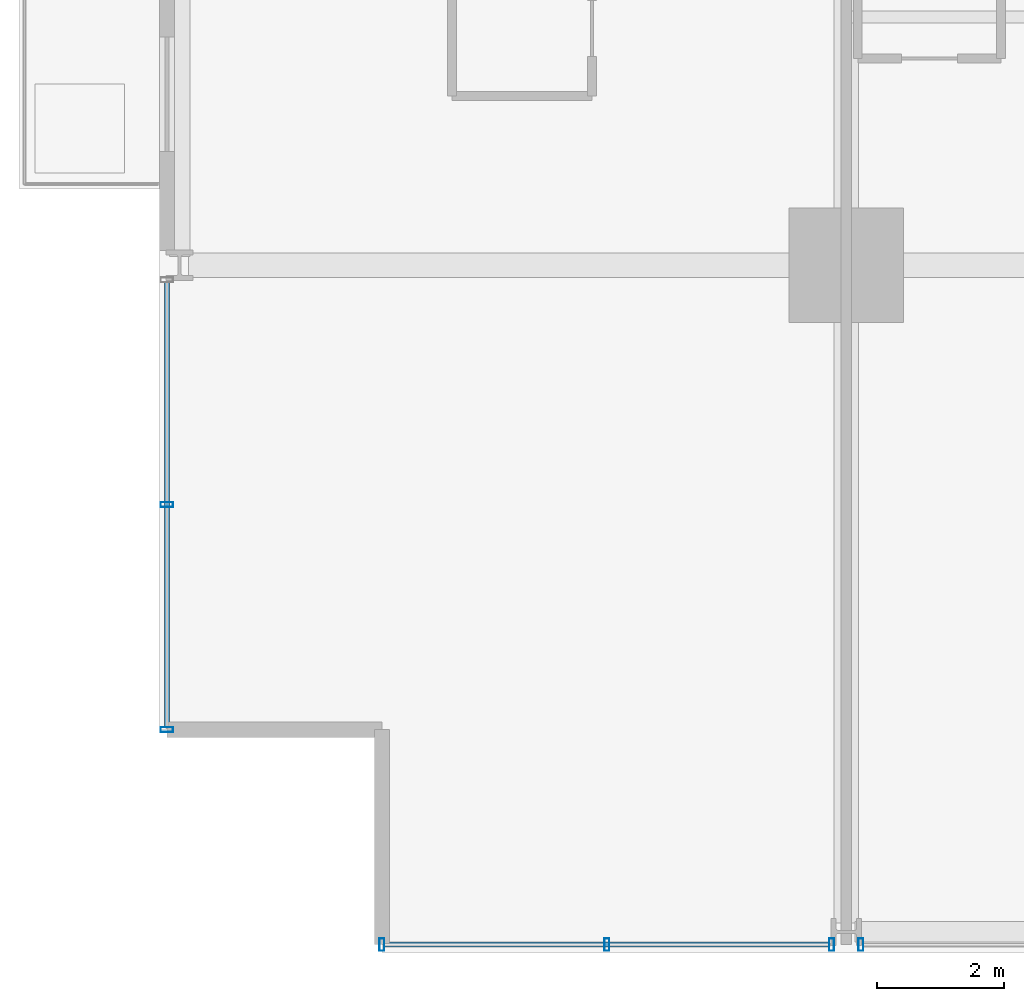
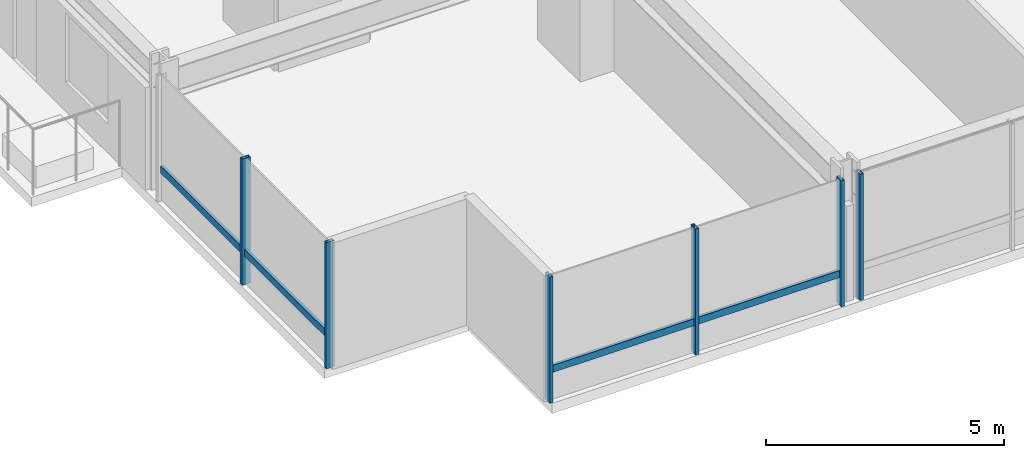
# One storey, part 2 of 38: 8 members, 3 elements without a shape of their own.
"""IFC4 building model written with IfcOpenShell, lengths in metres."""

from ifc_helpers import new_model, si_unit, direction, frame, origin, origin_2d, place, context, subcontext, project, spatial, hollow_rectangle, extrude, material, layer, layer_set, material_profile, profile_set, type_object, element, aggregate, save


model = new_model("IFC4")

# Units and contexts
model_context = context("Model", 3, precision=1e-05, world=origin(), true_north=direction((0.0, 1.0)))
body_context = subcontext(model_context, "Body", "Model", "MODEL_VIEW")
ifc_project = project(units=[si_unit("LENGTHUNIT", "METRE"), si_unit("AREAUNIT", "SQUARE_METRE"), si_unit("VOLUMEUNIT", "CUBIC_METRE"), si_unit("PLANEANGLEUNIT", "RADIAN"), si_unit("MASSUNIT", "GRAM", prefix="KILO")], contexts=[model_context])

# Site, building, storey
site_placement = place(None, origin())
site = spatial("IfcSite", under=ifc_project, at=site_placement, CompositionType="ELEMENT")
building_placement = place(site_placement, origin())
building = spatial("IfcBuilding", under=site, at=building_placement, Name="Drelvath Grand Hotel", CompositionType="ELEMENT")
storey_placement = place(building_placement, frame((0.0, 0.0, 61.199951171875)))
storey = spatial("IfcBuildingStorey", under=building, at=storey_placement, Name="L14", CompositionType="ELEMENT", Elevation=61.199951171875)

# Curtain wall, member
ifc_material = material(Name="Warm Bronze Anodised Aluminium Frame", Category="aluminium")
ifc_layer = layer(ifc_material, 0.199951171875)
ifc_layer_set = layer_set([ifc_layer], Name="Warm Bronze Anodised Aluminium Frame")
curtain_wall_type = type_object("IfcCurtainWallType", Name="Stick Curtain Wall CW-02 Warm Bronze Low-Rise", PredefinedType="NOTDEFINED", material=ifc_layer_set)
curtain_wall_1_placement = place(storey_placement, origin())
curtain_wall_1 = element("IfcCurtainWall", 1, at=curtain_wall_1_placement, inside=storey, type_object=curtain_wall_type, Name="L14 CW-02 Curtain Wall CW02-L14-WS1", PredefinedType="NOTDEFINED")
ifc_material_profile_1 = material_profile(ifc_material, hollow_rectangle(XDim=0.074951171875, YDim=0.179931640625, WallThickness=0.0048828125, at=origin_2d()), Name="HSS180X75X5")
ifc_profile_set_1 = profile_set([ifc_material_profile_1], Name="Warm Bronze Anodised Aluminium Frame")
member_type_1 = type_object("IfcMemberType", Name="Curtain Wall Horizontal Transom CW-02 HSS180X75X5", PredefinedType="USERDEFINED", material=ifc_profile_set_1)
member_1_placement = place(storey_placement, frame((-26.8798828125, 3.5400390625, 0.81005859375), z_axis=(0.0, 1.0, 0.0), x_axis=(-1.0, 0.0, 0.0)))
member_1 = element("IfcMember", 2, at=member_1_placement, type_object=member_type_1, Name="CW02-L14-WS1 Sill Transom", ObjectType="TRANSOM", PredefinedType="USERDEFINED", context=body_context, shape_type="SweptSolid", body=[
    extrude(hollow_rectangle(XDim=0.074951171875, YDim=0.179931640625, WallThickness=0.0048828125, at=origin_2d()), origin(), (0.0, 0.0, 1.0), 6.990966796875),
])

curtain_wall_2_placement = place(storey_placement, origin())
curtain_wall_2 = element("IfcCurtainWall", 3, at=curtain_wall_2_placement, inside=storey, type_object=curtain_wall_type, Name="L14 CW-02 Curtain Wall CW02-L14-SW1", PredefinedType="NOTDEFINED")
member_2_placement = place(storey_placement, frame((-16.468994140625, 0.1201171875, 0.81005859375), z_axis=(-1.0, 0.0, 0.0), x_axis=(0.0, -1.0, 0.0)))
member_2 = element("IfcMember", 4, at=member_2_placement, type_object=member_type_1, Name="CW02-L14-SW1 Sill Transom", ObjectType="TRANSOM", PredefinedType="USERDEFINED", context=body_context, shape_type="SweptSolid", body=[
    extrude(hollow_rectangle(XDim=0.074951171875, YDim=0.179931640625, WallThickness=0.0048828125, at=origin_2d()), origin(), (0.0, 0.0, 1.0), 6.990966796875),
])

# Member
ifc_material_profile_2 = material_profile(ifc_material, hollow_rectangle(XDim=0.080078125, YDim=0.199951171875, WallThickness=0.0048828125, at=origin_2d()), Name="HSS200X80X5")
ifc_profile_set_2 = profile_set([ifc_material_profile_2], Name="Warm Bronze Anodised Aluminium Frame")
member_type_2 = type_object("IfcMemberType", Name="Curtain Wall Vertical Mullion CW-02 HSS200X80X5", PredefinedType="MULLION", material=ifc_profile_set_2)
member_3_placement = place(storey_placement, frame((-26.8798828125, 3.5, 0.0), z_axis=(0.0, 0.0, 1.0), x_axis=(0.0, 1.0, 0.0)))
member_3 = element("IfcMember", 5, at=member_3_placement, type_object=member_type_2, Name="CW02-L14-WS1 Mullion 1", PredefinedType="MULLION", context=body_context, shape_type="SweptSolid", body=[
    extrude(hollow_rectangle(XDim=0.080078125, YDim=0.199951171875, WallThickness=0.0048828125, at=origin_2d()), origin(), (0.0, 0.0, 1.0), 3.239990234375),
])

member_4_placement = place(storey_placement, frame((-26.8798828125, 7.035400390625, 0.0), z_axis=(0.0, 0.0, 1.0), x_axis=(0.0, 1.0, 0.0)))
member_4 = element("IfcMember", 6, at=member_4_placement, type_object=member_type_2, Name="CW02-L14-WS1 Mullion 2", PredefinedType="MULLION", context=body_context, shape_type="SweptSolid", body=[
    extrude(hollow_rectangle(XDim=0.080078125, YDim=0.199951171875, WallThickness=0.0048828125, at=origin_2d()), origin(), (0.0, 0.0, 1.0), 3.239990234375),
])

aggregate(curtain_wall_1, [member_3, member_4, member_1])

member_5_placement = place(storey_placement, frame((-16.42919921875, 0.1201171875, 0.0), z_axis=(0.0, 0.0, 1.0), x_axis=(1.0, 0.0, 0.0)))
member_5 = element("IfcMember", 7, at=member_5_placement, type_object=member_type_2, Name="CW02-L14-SW1 Mullion 1", PredefinedType="MULLION", context=body_context, shape_type="SweptSolid", body=[
    extrude(hollow_rectangle(XDim=0.080078125, YDim=0.199951171875, WallThickness=0.0048828125, at=origin_2d()), origin(), (0.0, 0.0, 1.0), 3.239990234375),
])

member_6_placement = place(storey_placement, frame((-19.964599609375, 0.1201171875, 0.0), z_axis=(0.0, 0.0, 1.0), x_axis=(1.0, 0.0, 0.0)))
member_6 = element("IfcMember", 8, at=member_6_placement, type_object=member_type_2, Name="CW02-L14-SW1 Mullion 2", PredefinedType="MULLION", context=body_context, shape_type="SweptSolid", body=[
    extrude(hollow_rectangle(XDim=0.080078125, YDim=0.199951171875, WallThickness=0.0048828125, at=origin_2d()), origin(), (0.0, 0.0, 1.0), 3.239990234375),
])

member_7_placement = place(storey_placement, frame((-23.5, 0.1201171875, 0.0), z_axis=(0.0, 0.0, 1.0), x_axis=(1.0, 0.0, 0.0)))
member_7 = element("IfcMember", 9, at=member_7_placement, type_object=member_type_2, Name="CW02-L14-SW1 Mullion 3", PredefinedType="MULLION", context=body_context, shape_type="SweptSolid", body=[
    extrude(hollow_rectangle(XDim=0.080078125, YDim=0.199951171875, WallThickness=0.0048828125, at=origin_2d()), origin(), (0.0, 0.0, 1.0), 3.239990234375),
])

aggregate(curtain_wall_2, [member_5, member_6, member_7, member_2])

# Curtain wall, member
curtain_wall_3_placement = place(storey_placement, origin())
curtain_wall_3 = element("IfcCurtainWall", 10, at=curtain_wall_3_placement, inside=storey, type_object=curtain_wall_type, Name="L14 CW-02 Curtain Wall CW02-L14-SW2", PredefinedType="NOTDEFINED")
member_8_placement = place(storey_placement, frame((-15.970947265625, 0.1201171875, 0.0), z_axis=(0.0, 0.0, 1.0), x_axis=(1.0, 0.0, 0.0)))
member_8 = element("IfcMember", 11, at=member_8_placement, type_object=member_type_2, Name="CW02-L14-SW2 Mullion 3", PredefinedType="MULLION", context=body_context, shape_type="SweptSolid", body=[
    extrude(hollow_rectangle(XDim=0.080078125, YDim=0.199951171875, WallThickness=0.0048828125, at=origin_2d()), origin(), (0.0, 0.0, 1.0), 3.239990234375),
])
aggregate(curtain_wall_3, [member_8])

save(model, "model.ifc")
